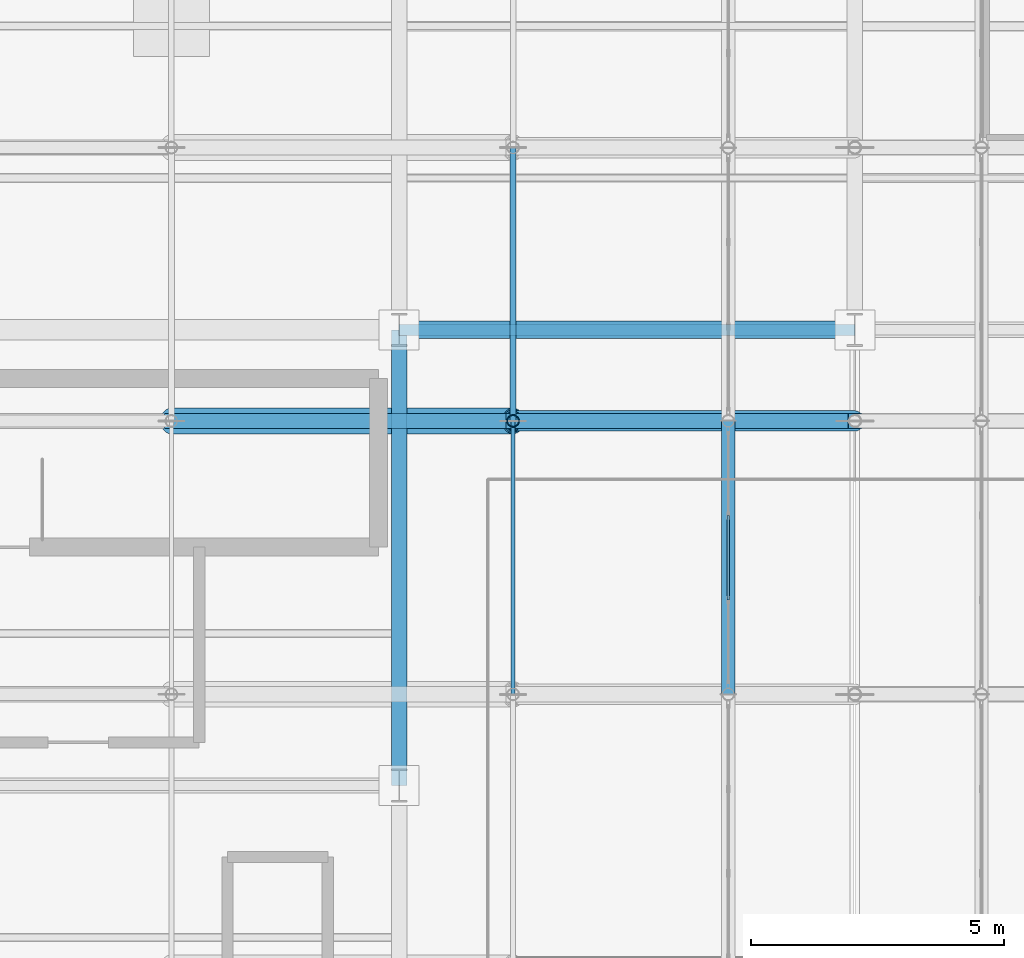
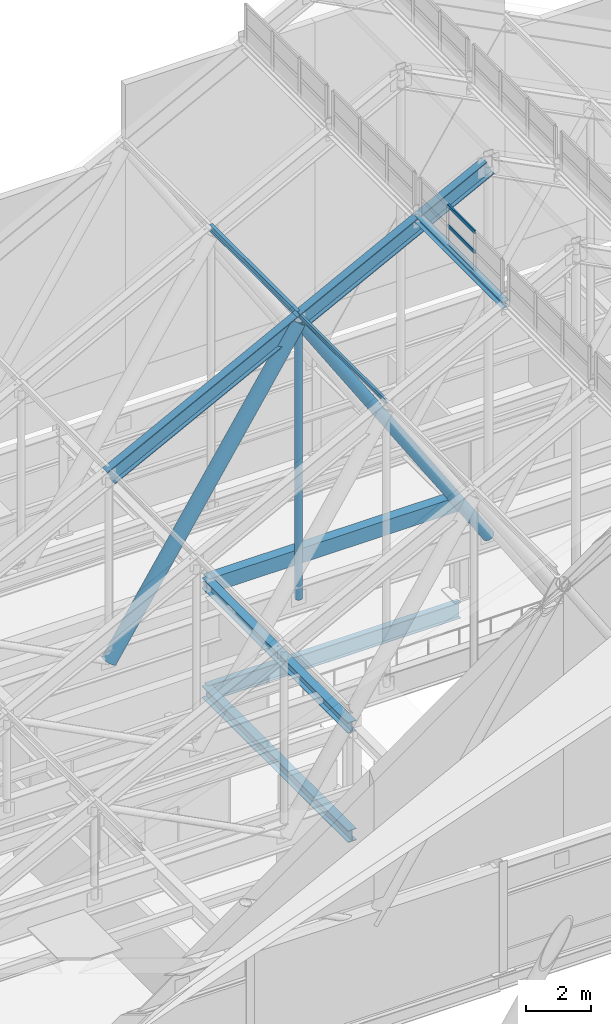
# One storey, part 46 of 84: 10 members, 5 beams, 1 element without a shape of its own.
"""IFC4 building model written with IfcOpenShell, lengths in metres."""

from ifc_helpers import new_model, si_unit, direction, frame, origin, origin_2d, place, context, subcontext, project, spatial, rectangle, hollow_rectangle, hollow_circle, i_section, extrude, material, layer, layer_set, material_profile, profile_set, type_object, element, aggregate, save


model = new_model("IFC4")

# Units and contexts
model_context = context("Model", 3, precision=1e-05, world=origin(), true_north=direction((0.0, 1.0)))
body_context = subcontext(model_context, "Body", "Model", "MODEL_VIEW")
ifc_project = project(units=[si_unit("LENGTHUNIT", "METRE"), si_unit("AREAUNIT", "SQUARE_METRE"), si_unit("VOLUMEUNIT", "CUBIC_METRE"), si_unit("PLANEANGLEUNIT", "RADIAN"), si_unit("MASSUNIT", "GRAM", prefix="KILO")], contexts=[model_context])

# Site, building, storey
site_placement = place(None, origin())
site = spatial("IfcSite", under=ifc_project, at=site_placement, CompositionType="ELEMENT")
building_placement = place(site_placement, origin())
building = spatial("IfcBuilding", under=site, at=building_placement, Name="Sundgate Opera House", CompositionType="ELEMENT")
storey_placement = place(building_placement, frame((0.0, 0.0, 30.60009765625)))
storey = spatial("IfcBuildingStorey", under=building, at=storey_placement, Name="L06", CompositionType="ELEMENT", Elevation=30.60009765625)

# Beams
ifc_material_1 = material(Name="Steel S355J2", Category="steel")
ifc_material_profile_1 = material_profile(ifc_material_1, i_section(OverallWidth=0.300048828125, OverallDepth=0.39990234375, WebThickness=0.013427734375, FlangeThickness=0.02392578125, at=origin_2d()), Name="HEB 400")
ifc_profile_set_1 = profile_set([ifc_material_profile_1], Name="Steel S355J2")
beam_type_1 = type_object("IfcBeamType", Name="BM-GR-HEB400", PredefinedType="BEAM", material=ifc_profile_set_1)
beam_1_placement = place(storey_placement, frame((45.0, 69.0, 3.599853515625), z_axis=(0.0, 1.0, 0.0), x_axis=(-1.0, 0.0, 0.0)))
element("IfcBeam", 1, at=beam_1_placement, inside=storey, type_object=beam_type_1, Name="L06 Primary N-S Girder B3274", PredefinedType="BEAM", context=body_context, shape_type="SweptSolid", body=[
    extrude(i_section(OverallWidth=0.300048828125, OverallDepth=0.39990234375, WebThickness=0.013427734375, FlangeThickness=0.02392578125, at=origin_2d()), origin(), (0.0, 0.0, 1.0), 9.0),
])
ifc_material_2 = material(Name="Steel S355J2", Category="steel")
ifc_material_profile_2 = material_profile(ifc_material_2, i_section(OverallWidth=0.300048828125, OverallDepth=0.449951171875, WebThickness=0.013916015625, FlangeThickness=0.02587890625, at=origin_2d()), Name="HEB 450")
ifc_profile_set_2 = profile_set([ifc_material_profile_2], Name="Steel S355J2")
beam_type_2 = type_object("IfcBeamType", Name="BM-GR-HEB450", PredefinedType="BEAM", material=ifc_profile_set_2)
beam_2_placement = place(storey_placement, frame((45.0, 69.0, -0.485107421875), z_axis=(0.0, 1.0, 0.0), x_axis=(-1.0, 0.0, 0.0)))
element("IfcBeam", 2, at=beam_2_placement, inside=storey, type_object=beam_type_2, Name="L06 Primary N-S Girder B3199", PredefinedType="BEAM", context=body_context, shape_type="SweptSolid", body=[
    extrude(i_section(OverallWidth=0.300048828125, OverallDepth=0.449951171875, WebThickness=0.013916015625, FlangeThickness=0.02587890625, at=origin_2d()), origin(), (0.0, 0.0, 1.0), 9.0),
])
ifc_material_3 = material(Name="Steel S355J2", Category="steel")
ifc_material_profile_3 = material_profile(ifc_material_3, i_section(OverallWidth=0.219970703125, OverallDepth=0.60009765625, WebThickness=0.011962890625, FlangeThickness=0.01904296875, at=origin_2d()), Name="IPE 600")
ifc_profile_set_3 = profile_set([ifc_material_profile_3], Name="Steel S355J2")
beam_type_3 = type_object("IfcBeamType", Name="BM-GR-IPE600", PredefinedType="BEAM", material=ifc_profile_set_3)
beam_3_placement = place(storey_placement, frame((45.0, 78.0, -0.56005859375), z_axis=(1.0, 0.0, 0.0), x_axis=(0.0, 1.0, 0.0)))
element("IfcBeam", 3, at=beam_3_placement, inside=storey, type_object=beam_type_3, Name="L06 Primary E-W Girder B3230", PredefinedType="BEAM", context=body_context, shape_type="SweptSolid", body=[
    extrude(i_section(OverallWidth=0.219970703125, OverallDepth=0.60009765625, WebThickness=0.011962890625, FlangeThickness=0.01904296875, at=origin_2d()), origin(), (0.0, 0.0, 1.0), 9.0),
])
ifc_material_4 = material(Name="Steel S355J2", Category="steel")
ifc_material_profile_4 = material_profile(ifc_material_4, i_section(OverallWidth=0.260009765625, OverallDepth=0.25, WebThickness=0.007568359375, FlangeThickness=0.012451171875, at=origin_2d()), Name="HEA 260")
ifc_profile_set_4 = profile_set([ifc_material_profile_4], Name="Steel S355J2")
beam_type_4 = type_object("IfcBeamType", Name="BM-LN-HEA260", PredefinedType="LINTEL", material=ifc_profile_set_4)
beam_4_placement = place(storey_placement, frame((51.5, 70.800048828125, 16.119873046875), z_axis=(0.0, 1.0, 0.0), x_axis=(-1.0, 0.0, 0.0)))
element("IfcBeam", 4, at=beam_4_placement, inside=storey, type_object=beam_type_4, Name="L06 Crown Clerestory Curb Beam BS036", PredefinedType="LINTEL", context=body_context, shape_type="SweptSolid", body=[
    extrude(i_section(OverallWidth=0.260009765625, OverallDepth=0.25, WebThickness=0.007568359375, FlangeThickness=0.012451171875, at=origin_2d()), origin(), (0.0, 0.0, 1.0), 5.39990234375),
])
ifc_material_5 = material(Name="Concrete C35/45", Category="concrete")
ifc_material_profile_5 = material_profile(ifc_material_5, rectangle(XDim=0.35009765625, YDim=0.550048828125, at=origin_2d()), Name="RC 350x550")
ifc_profile_set_5 = profile_set([ifc_material_profile_5], Name="Concrete C35/45")
beam_type_5 = type_object("IfcBeamType", Name="BM-RC-350x550", PredefinedType="BEAM", material=ifc_profile_set_5)
beam_5_placement = place(storey_placement, frame((45.0, 78.0, 3.52490234375), z_axis=(1.0, 0.0, 0.0), x_axis=(0.0, 1.0, 0.0)))
element("IfcBeam", 5, at=beam_5_placement, inside=storey, type_object=beam_type_5, Name="L06 Primary E-W Girder B3289", PredefinedType="BEAM", context=body_context, shape_type="SweptSolid", body=[
    extrude(rectangle(XDim=0.35009765625, YDim=0.550048828125, at=origin_2d()), origin(), (0.0, 0.0, 1.0), 9.0),
])

# Curtain wall, members
ifc_material_6 = material(Name="Anodized aluminium and low-iron glass", Category="aluminium")
ifc_layer = layer(ifc_material_6, 0.169921875)
ifc_layer_set = layer_set([ifc_layer], Name="Anodized aluminium and low-iron glass")
curtain_wall_type = type_object("IfcCurtainWallType", Name="CW-LANTERN-POLY", PredefinedType="NOTDEFINED", material=ifc_layer_set)
curtain_wall_placement = place(storey_placement, origin())
curtain_wall = element("IfcCurtainWall", 6, at=curtain_wall_placement, inside=storey, type_object=curtain_wall_type, Name="L06 Curtain Wall CW183", PredefinedType="NOTDEFINED")
ifc_material_7 = material(Name="Anodized aluminium EN AW-6063", Category="aluminium")
ifc_material_profile_6 = material_profile(ifc_material_7, hollow_rectangle(XDim=0.054931640625, YDim=0.1201171875, WallThickness=0.00390625, at=origin_2d()), Name="CWT 120x55x4")
ifc_profile_set_6 = profile_set([ifc_material_profile_6], Name="Anodized aluminium EN AW-6063")
member_type_1 = type_object("IfcMemberType", Name="CWT-ALU-120x55", PredefinedType="USERDEFINED", material=ifc_profile_set_6)
member_1_placement = place(storey_placement, frame((51.5, 74.333251953125, 16.199951171875), z_axis=(0.0, -1.0, 0.0), x_axis=(1.0, 0.0, 0.0)))
member_1 = element("IfcMember", 7, at=member_1_placement, type_object=member_type_1, Name="CW183 Transom 4", ObjectType="TRANSOM", PredefinedType="USERDEFINED", context=body_context, shape_type="SweptSolid", body=[
    extrude(hollow_rectangle(XDim=0.054931640625, YDim=0.1201171875, WallThickness=0.00390625, at=origin_2d()), origin(), (0.0, 0.0, 1.0), 1.66650390625),
])
member_2_placement = place(storey_placement, frame((51.5, 74.333251953125, 16.949951171875), z_axis=(0.0, -1.0, 0.0), x_axis=(1.0, 0.0, 0.0)))
member_2 = element("IfcMember", 8, at=member_2_placement, type_object=member_type_1, Name="CW183 Transom 5", ObjectType="TRANSOM", PredefinedType="USERDEFINED", context=body_context, shape_type="SweptSolid", body=[
    extrude(hollow_rectangle(XDim=0.054931640625, YDim=0.1201171875, WallThickness=0.00390625, at=origin_2d()), origin(), (0.0, 0.0, 1.0), 1.66650390625),
])
member_3_placement = place(storey_placement, frame((51.5, 74.333251953125, 17.699951171875), z_axis=(0.0, -1.0, 0.0), x_axis=(1.0, 0.0, 0.0)))
member_3 = element("IfcMember", 9, at=member_3_placement, type_object=member_type_1, Name="CW183 Transom 6", ObjectType="TRANSOM", PredefinedType="USERDEFINED", context=body_context, shape_type="SweptSolid", body=[
    extrude(hollow_rectangle(XDim=0.054931640625, YDim=0.1201171875, WallThickness=0.00390625, at=origin_2d()), origin(), (0.0, 0.0, 1.0), 1.66650390625),
])
aggregate(curtain_wall, [member_1, member_2, member_3])

# Members
ifc_material_8 = material(Name="Steel S355J2", Category="steel")
ifc_material_profile_7 = material_profile(ifc_material_8, i_section(OverallWidth=0.300048828125, OverallDepth=0.60009765625, WebThickness=0.015380859375, FlangeThickness=0.030029296875, at=origin_2d()), Name="HEB 600")
ifc_profile_set_7 = profile_set([ifc_material_profile_7], Name="Steel S355J2")
member_type_2 = type_object("IfcMemberType", Name="MB-CHORD-HEB600", PredefinedType="CHORD", material=ifc_profile_set_7)
for number, where, z_axis, x_axis, name in (
    (10, (40.5, 76.199951171875, 10.244873046875), (0.888960276237, 0.0, 0.457984308981), (0.0, 1.0, 0.0), "L06 Fly-Tower Truss Top Chord M0179"),
    (11, (47.25, 76.199951171875, 13.722412109375), (0.888960276237, 0.0, 0.457984308981), (0.0, 1.0, 0.0), "L06 Fly-Tower Truss Top Chord M0181"),
):
    element("IfcMember", number, at=place(storey_placement, frame(where, z_axis=z_axis, x_axis=x_axis)), inside=storey, type_object=member_type_2, Name=name, PredefinedType="CHORD", context=body_context, shape_type="SweptSolid", body=[
        extrude(i_section(OverallWidth=0.300048828125, OverallDepth=0.60009765625, WebThickness=0.015380859375, FlangeThickness=0.030029296875, at=origin_2d()), origin(), (0.0, 0.0, 1.0), 7.59326171875),
    ])
ifc_material_9 = material(Name="Steel S355J2", Category="steel")
ifc_material_profile_8 = material_profile(ifc_material_9, i_section(OverallWidth=0.08203125, OverallDepth=0.159912109375, WebThickness=0.0048828125, FlangeThickness=0.00732421875, at=origin_2d()), Name="IPE 160")
ifc_profile_set_8 = profile_set([ifc_material_profile_8], Name="Steel S355J2")
member_type_3 = type_object("IfcMemberType", Name="MB-PUR-IPE160", PredefinedType="PURLIN", material=ifc_profile_set_8)
member_4_placement = place(storey_placement, frame((47.25, 70.800048828125, 13.96728515625), z_axis=(0.0, 1.0, 0.0), x_axis=(-1.0, 0.0, 0.0)))
element("IfcMember", 12, at=member_4_placement, inside=storey, type_object=member_type_3, Name="V1 Roof Purlin M0260", PredefinedType="PURLIN", context=body_context, shape_type="SweptSolid", body=[
    extrude(i_section(OverallWidth=0.08203125, OverallDepth=0.159912109375, WebThickness=0.0048828125, FlangeThickness=0.00732421875, at=origin_2d()), origin(), (0.0, 0.0, 1.0), 5.39990234375),
])
ifc_material_10 = material(Name="Steel S355J2", Category="steel")
ifc_material_profile_9 = material_profile(ifc_material_10, i_section(OverallWidth=0.1201171875, OverallDepth=0.239990234375, WebThickness=0.006103515625, FlangeThickness=0.009765625, at=origin_2d()), Name="IPE 240")
ifc_profile_set_9 = profile_set([ifc_material_profile_9], Name="Steel S355J2")
member_type_4 = type_object("IfcMemberType", Name="MB-PUR-IPE240", PredefinedType="PURLIN", material=ifc_profile_set_9)
member_5_placement = place(storey_placement, frame((47.25, 76.199951171875, 13.96728515625), z_axis=(0.0, 1.0, 0.0), x_axis=(-1.0, 0.0, 0.0)))
element("IfcMember", 13, at=member_5_placement, inside=storey, type_object=member_type_4, Name="V1 Roof Purlin M0266", PredefinedType="PURLIN", context=body_context, shape_type="SweptSolid", body=[
    extrude(i_section(OverallWidth=0.1201171875, OverallDepth=0.239990234375, WebThickness=0.006103515625, FlangeThickness=0.009765625, at=origin_2d()), origin(), (0.0, 0.0, 1.0), 5.400146484375),
])
ifc_material_11 = material(Name="Steel S355J2", Category="steel")
ifc_material_profile_10 = material_profile(ifc_material_11, hollow_circle(Radius=0.122314453125, WallThickness=0.012451171875, at=origin_2d()), Name="CHS 244.5x12.5")
ifc_profile_set_10 = profile_set([ifc_material_profile_10], Name="Steel S355J2")
member_type_5 = type_object("IfcMemberType", Name="MB-STRUT-CHS244", PredefinedType="STRUT", material=ifc_profile_set_10)
member_6_placement = place(storey_placement, frame((47.25, 76.199951171875, 3.289794921875), z_axis=(0.0, 0.0, 1.0), x_axis=(1.0, 0.0, 0.0)))
element("IfcMember", 14, at=member_6_placement, inside=storey, type_object=member_type_5, Name="L06 Fly-Tower Truss Vertical Post M0192", PredefinedType="STRUT", context=body_context, shape_type="SweptSolid", body=[
    extrude(hollow_circle(Radius=0.122314453125, WallThickness=0.012451171875, at=origin_2d()), origin(), (0.0, 0.0, 1.0), 10.4326171875),
])
ifc_material_12 = material(Name="Steel S355ML", Category="steel")
ifc_material_profile_11 = material_profile(ifc_material_12, hollow_circle(Radius=0.203125, WallThickness=0.02001953125, at=origin_2d()), Name="CHS 406.4x20.0")
ifc_profile_set_11 = profile_set([ifc_material_profile_11], Name="Steel S355ML")
member_type_6 = type_object("IfcMemberType", Name="MB-STRUT-CHS406", PredefinedType="STRUT", material=ifc_profile_set_11)
member_7_placement = place(storey_placement, frame((54.0, 76.199951171875, 3.289794921875), z_axis=(-0.543221949913, 0.0, 0.839589133525), x_axis=(0.0, -1.0, 0.0)))
element("IfcMember", 15, at=member_7_placement, inside=storey, type_object=member_type_6, Name="L06 Fly-Tower Warren Web Diagonal M0182", PredefinedType="STRUT", context=body_context, shape_type="SweptSolid", body=[
    extrude(hollow_circle(Radius=0.203125, WallThickness=0.02001953125, at=origin_2d()), origin(), (0.0, 0.0, 1.0), 12.42578125),
])
ifc_material_13 = material(Name="Steel S355ML", Category="steel")
ifc_material_profile_12 = material_profile(ifc_material_13, hollow_circle(Radius=0.25390625, WallThickness=0.02490234375, at=origin_2d()), Name="CHS 508x25.0")
ifc_profile_set_12 = profile_set([ifc_material_profile_12], Name="Steel S355ML")
member_type_7 = type_object("IfcMemberType", Name="MB-STRUT-CHS508", PredefinedType="STRUT", material=ifc_profile_set_12)
member_8_placement = place(storey_placement, frame((40.5, 76.199951171875, 3.289794921875), z_axis=(0.543221949913, 0.0, 0.839589133525), x_axis=(0.0, 1.0, 0.0)))
element("IfcMember", 16, at=member_8_placement, inside=storey, type_object=member_type_7, Name="L06 Fly-Tower Warren Web Strut M0180", PredefinedType="STRUT", context=body_context, shape_type="SweptSolid", body=[
    extrude(hollow_circle(Radius=0.25390625, WallThickness=0.02490234375, at=origin_2d()), origin(), (0.0, 0.0, 1.0), 12.42578125),
])

save(model, "model.ifc")
